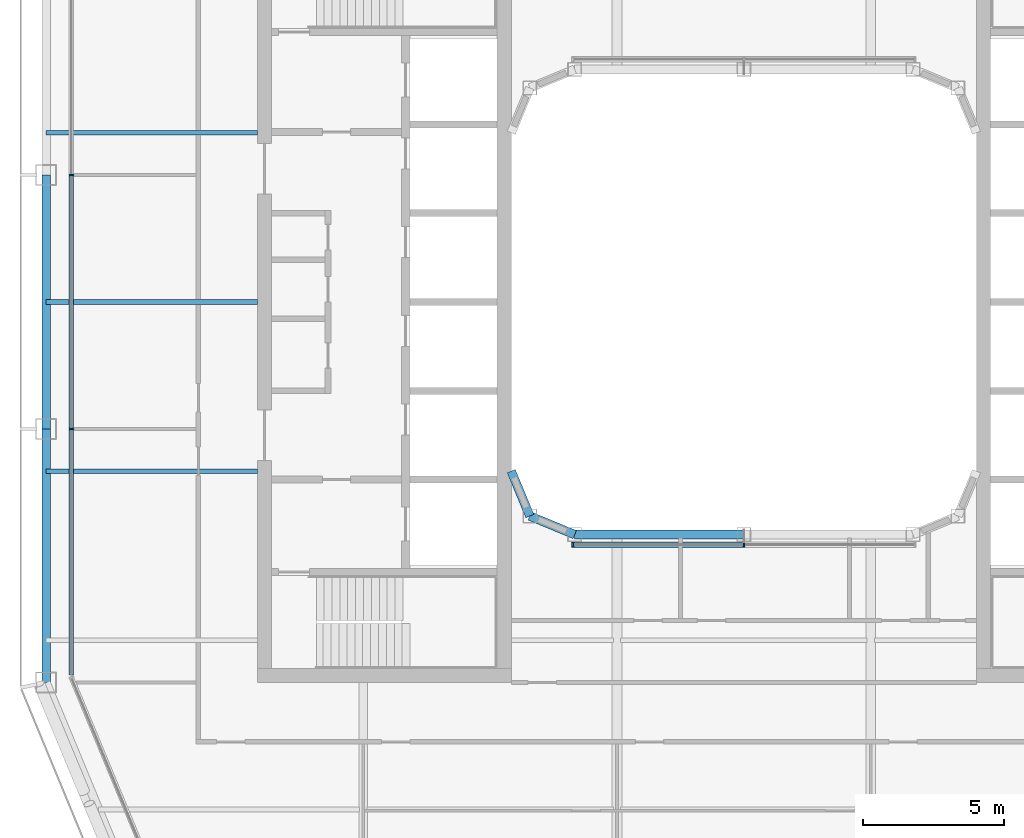
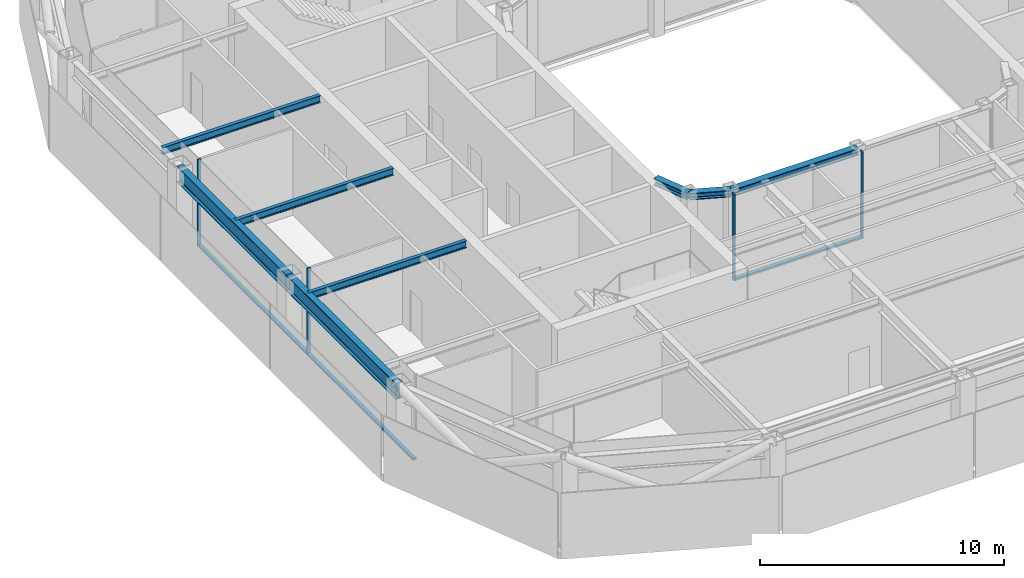
# One storey, part 3 of 20: 8 beams, 7 members, 2 elements without a shape of their own.
"""IFC4 building model written with IfcOpenShell, lengths in metres."""

from ifc_helpers import new_model, si_unit, direction, frame, origin, origin_2d, place, context, subcontext, project, spatial, rectangle, i_section, extrude, material, layer, layer_set, material_profile, profile_set, type_object, element, aggregate, save


model = new_model("IFC4")

# Units and contexts
model_context = context("Model", 3, precision=1e-05, world=origin(), true_north=direction((0.0, 1.0)))
body_context = subcontext(model_context, "Body", "Model", "MODEL_VIEW")
ifc_project = project(units=[si_unit("LENGTHUNIT", "METRE"), si_unit("AREAUNIT", "SQUARE_METRE"), si_unit("VOLUMEUNIT", "CUBIC_METRE"), si_unit("PLANEANGLEUNIT", "RADIAN"), si_unit("MASSUNIT", "GRAM", prefix="KILO")], contexts=[model_context])

# Site, building, storey
site_placement = place(None, origin())
site = spatial("IfcSite", under=ifc_project, at=site_placement, CompositionType="ELEMENT")
building_placement = place(site_placement, origin())
building = spatial("IfcBuilding", under=site, at=building_placement, Name="Siwar Civic Tower", CompositionType="ELEMENT")
storey_placement = place(building_placement, frame((0.0, 0.0, 307.699951171875)))
storey = spatial("IfcBuildingStorey", under=building, at=storey_placement, Name="L66", CompositionType="ELEMENT", Elevation=307.699951171875)

# Curtain wall, members
ifc_material_1 = material(Name="Aluminium and glass", Category="aluminium")
ifc_layer_1 = layer(ifc_material_1, 0.159912109375)
ifc_layer_set_1 = layer_set([ifc_layer_1], Name="Aluminium and glass")
curtain_wall_type_1 = type_object("IfcCurtainWallType", Name="ENV-CW-D", PredefinedType="NOTDEFINED", material=ifc_layer_set_1)
curtain_wall_1_placement = place(storey_placement, origin())
curtain_wall_1 = element("IfcCurtainWall", 1, at=curtain_wall_1_placement, inside=storey, type_object=curtain_wall_type_1, Name="Curtain wall D W", PredefinedType="NOTDEFINED")
ifc_material_2 = material(Name="Aluminium 6063-T6", Category="aluminium")
ifc_material_profile_1 = material_profile(ifc_material_2, rectangle(XDim=0.159912109375, YDim=0.06005859375, at=origin_2d()), Name="AL 160x60")
ifc_profile_set_1 = profile_set([ifc_material_profile_1], Name="Aluminium 6063-T6")
member_type_1 = type_object("IfcMemberType", Name="ENV-MULLION-D", PredefinedType="MULLION", material=ifc_profile_set_1)
member_1_placement = place(storey_placement, frame((-23.85009765625, 4.5, 0.0), z_axis=(0.0, 0.0, 1.0), x_axis=(1.0, 0.0, 0.0)))
member_1 = element("IfcMember", 2, at=member_1_placement, type_object=member_type_1, Name="Mullion D W 2", PredefinedType="MULLION", context=body_context, shape_type="SweptSolid", body=[
    extrude(rectangle(XDim=0.159912109375, YDim=0.06005859375, at=origin_2d()), origin(), (0.0, 0.0, 1.0), 4.35009765625),
])
member_2_placement = place(storey_placement, frame((-23.85009765625, -4.5, 0.0), z_axis=(0.0, 0.0, 1.0), x_axis=(1.0, 0.0, 0.0)))
member_2 = element("IfcMember", 3, at=member_2_placement, type_object=member_type_1, Name="Mullion D W 3", PredefinedType="MULLION", context=body_context, shape_type="SweptSolid", body=[
    extrude(rectangle(XDim=0.159912109375, YDim=0.06005859375, at=origin_2d()), origin(), (0.0, 0.0, 1.0), 4.35009765625),
])

ifc_material_3 = material(Name="Aluminium and glass", Category="aluminium")
ifc_layer_2 = layer(ifc_material_3, 0.179931640625)
ifc_layer_set_2 = layer_set([ifc_layer_2], Name="Aluminium and glass")
curtain_wall_type_2 = type_object("IfcCurtainWallType", Name="ENV-CW-W", PredefinedType="NOTDEFINED", material=ifc_layer_set_2)
curtain_wall_2_placement = place(storey_placement, origin())
curtain_wall_2 = element("IfcCurtainWall", 4, at=curtain_wall_2_placement, inside=storey, type_object=curtain_wall_type_2, Name="Curtain wall W WS", PredefinedType="NOTDEFINED")
ifc_material_4 = material(Name="Aluminium 6063-T6", Category="aluminium")
ifc_material_profile_2 = material_profile(ifc_material_4, rectangle(XDim=0.179931640625, YDim=0.06005859375, at=origin_2d()), Name="AL 180x60")
ifc_profile_set_2 = profile_set([ifc_material_profile_2], Name="Aluminium 6063-T6")
member_type_2 = type_object("IfcMemberType", Name="ENV-MULLION-W", PredefinedType="MULLION", material=ifc_profile_set_2)
member_3_placement = place(storey_placement, frame((-6.071533203125, -8.610107421875, 0.0), z_axis=(0.0, 0.0, 1.0), x_axis=(0.0, 1.0, 0.0)))
member_3 = element("IfcMember", 5, at=member_3_placement, type_object=member_type_2, Name="Mullion W WS 1", PredefinedType="MULLION", context=body_context, shape_type="SweptSolid", body=[
    extrude(rectangle(XDim=0.179931640625, YDim=0.06005859375, at=origin_2d()), origin(), (0.0, 0.0, 1.0), 4.35009765625),
])
member_4_placement = place(storey_placement, frame((0.0, -8.610107421875, 0.0), z_axis=(0.0, 0.0, 1.0), x_axis=(0.0, 1.0, 0.0)))
member_4 = element("IfcMember", 6, at=member_4_placement, type_object=member_type_2, Name="Mullion W WS 2", PredefinedType="MULLION", context=body_context, shape_type="SweptSolid", body=[
    extrude(rectangle(XDim=0.179931640625, YDim=0.06005859375, at=origin_2d()), origin(), (0.0, 0.0, 1.0), 4.35009765625),
])

# Member
ifc_material_5 = material(Name="Aluminium 6063-T6", Category="aluminium")
ifc_material_profile_3 = material_profile(ifc_material_5, rectangle(XDim=0.159912109375, YDim=0.10009765625, at=origin_2d()), Name="AL 160x100")
ifc_profile_set_3 = profile_set([ifc_material_profile_3], Name="Aluminium 6063-T6")
member_type_3 = type_object("IfcMemberType", Name="ENV-TRANSOM-D", PredefinedType="USERDEFINED", material=ifc_profile_set_3)
member_5_placement = place(storey_placement, frame((-23.85009765625, 4.469970703125, 0.050048828125), z_axis=(0.0, -1.0, 0.0), x_axis=(1.0, 0.0, 0.0)))
member_5 = element("IfcMember", 7, at=member_5_placement, type_object=member_type_3, Name="Transom D W 2", ObjectType="TRANSOM", PredefinedType="USERDEFINED", context=body_context, shape_type="SweptSolid", body=[
    extrude(rectangle(XDim=0.159912109375, YDim=0.10009765625, at=origin_2d()), origin(), (0.0, 0.0, 1.0), 8.93994140625),
])

member_6_placement = place(storey_placement, frame((-23.85009765625, -4.530029296875, 0.050048828125), z_axis=(0.0, -1.0, 0.0), x_axis=(1.0, 0.0, 0.0)))
member_6 = element("IfcMember", 8, at=member_6_placement, type_object=member_type_3, Name="Transom D W 3", ObjectType="TRANSOM", PredefinedType="USERDEFINED", context=body_context, shape_type="SweptSolid", body=[
    extrude(rectangle(XDim=0.159912109375, YDim=0.10009765625, at=origin_2d()), origin(), (0.0, 0.0, 1.0), 8.693115234375),
])

aggregate(curtain_wall_1, [member_1, member_2, member_5, member_6])

ifc_material_6 = material(Name="Aluminium 6063-T6", Category="aluminium")
ifc_material_profile_4 = material_profile(ifc_material_6, rectangle(XDim=0.179931640625, YDim=0.10009765625, at=origin_2d()), Name="AL 180x100")
ifc_profile_set_4 = profile_set([ifc_material_profile_4], Name="Aluminium 6063-T6")
member_type_4 = type_object("IfcMemberType", Name="ENV-TRANSOM-W", PredefinedType="USERDEFINED", material=ifc_profile_set_4)
member_7_placement = place(storey_placement, frame((-6.04150390625, -8.610107421875, 0.050048828125), z_axis=(1.0, 0.0, 0.0), x_axis=(0.0, 1.0, 0.0)))
member_7 = element("IfcMember", 9, at=member_7_placement, type_object=member_type_4, Name="Transom W WS 1", ObjectType="TRANSOM", PredefinedType="USERDEFINED", context=body_context, shape_type="SweptSolid", body=[
    extrude(rectangle(XDim=0.179931640625, YDim=0.10009765625, at=origin_2d()), origin(), (0.0, 0.0, 1.0), 6.011474609375),
])

aggregate(curtain_wall_2, [member_3, member_4, member_7])

# Beams
ifc_material_7 = material(Name="Steel S355", Category="steel")
ifc_material_profile_5 = material_profile(ifc_material_7, i_section(OverallWidth=0.169921875, OverallDepth=0.360107421875, WebThickness=0.008056640625, FlangeThickness=0.0126953125, FilletRadius=0.01806640625, at=origin_2d()), Name="IPE360")
ifc_profile_set_5 = profile_set([ifc_material_profile_5], Name="Steel S355")
beam_type_1 = type_object("IfcBeamType", Name="STR-FB-IPE360", PredefinedType="JOIST", material=ifc_profile_set_5)
for number, where, z_axis, x_axis, name in (
    (10, (-24.75, -6.0, 4.170166015625), (1.0, 0.0, 0.0), (0.0, 1.0, 0.0), "L66/bm/F016"),
    (11, (-24.75, 0.0, 4.170166015625), (1.0, 0.0, 0.0), (0.0, 1.0, 0.0), "L66/bm/F018"),
    (12, (-24.75, 6.0, 4.170166015625), (1.0, 0.0, 0.0), (0.0, 1.0, 0.0), "L66/bm/F020"),
):
    element("IfcBeam", number, at=place(storey_placement, frame(where, z_axis=z_axis, x_axis=x_axis)), inside=storey, type_object=beam_type_1, Name=name, PredefinedType="JOIST", context=body_context, shape_type="SweptSolid", body=[
        extrude(i_section(OverallWidth=0.169921875, OverallDepth=0.360107421875, WebThickness=0.008056640625, FlangeThickness=0.0126953125, FilletRadius=0.01806640625, at=origin_2d()), origin(), (0.0, 0.0, 1.0), 7.5),
    ])
ifc_material_8 = material(Name="Steel S355", Category="steel")
ifc_material_profile_6 = material_profile(ifc_material_8, i_section(OverallWidth=0.31005859375, OverallDepth=0.340087890625, WebThickness=0.02099609375, FlangeThickness=0.0390625, FilletRadius=0.027099609375, at=origin_2d()), Name="HEM300")
ifc_profile_set_6 = profile_set([ifc_material_profile_6], Name="Steel S355")
beam_type_2 = type_object("IfcBeamType", Name="STR-RB-HEM300", PredefinedType="BEAM", material=ifc_profile_set_6)
beam_1_placement = place(storey_placement, frame((-7.591064453125, -7.591064453125, 4.179931640625), z_axis=(0.923901072997, -0.382631424892, 0.0), x_axis=(0.382631424892, 0.923901072997, 0.0)))
element("IfcBeam", 13, at=beam_1_placement, inside=storey, type_object=beam_type_2, Name="L66/bm/RS0", PredefinedType="BEAM", context=body_context, shape_type="SweptSolid", body=[
    extrude(i_section(OverallWidth=0.31005859375, OverallDepth=0.340087890625, WebThickness=0.02099609375, FlangeThickness=0.0390625, FilletRadius=0.027099609375, at=origin_2d()), origin(), (0.0, 0.0, 1.0), 1.72216796875),
])
beam_2_placement = place(storey_placement, frame((-6.0, -8.25, 4.179931640625), z_axis=(1.0, 0.0, 0.0), x_axis=(0.0, 1.0, 0.0)))
element("IfcBeam", 14, at=beam_2_placement, inside=storey, type_object=beam_type_2, Name="L66/bm/RS1", PredefinedType="BEAM", context=body_context, shape_type="SweptSolid", body=[
    extrude(i_section(OverallWidth=0.31005859375, OverallDepth=0.340087890625, WebThickness=0.02099609375, FlangeThickness=0.0390625, FilletRadius=0.027099609375, at=origin_2d()), origin(), (0.0, 0.0, 1.0), 6.0),
])
beam_3_placement = place(storey_placement, frame((-7.591064453125, -7.591064453125, 4.179931640625), z_axis=(-0.382631424892, 0.923901072997, 0.0), x_axis=(-0.923901072997, -0.382631424892, 0.0)))
element("IfcBeam", 15, at=beam_3_placement, inside=storey, type_object=beam_type_2, Name="L66/bm/RSEW", PredefinedType="BEAM", context=body_context, shape_type="SweptSolid", body=[
    extrude(i_section(OverallWidth=0.31005859375, OverallDepth=0.340087890625, WebThickness=0.02099609375, FlangeThickness=0.0390625, FilletRadius=0.027099609375, at=origin_2d()), origin(), (0.0, 0.0, 1.0), 1.72216796875),
])
ifc_material_9 = material(Name="Steel S355", Category="steel")
ifc_material_profile_7 = material_profile(ifc_material_9, i_section(OverallWidth=0.300048828125, OverallDepth=0.800048828125, WebThickness=0.017578125, FlangeThickness=0.032958984375, FilletRadius=0.030029296875, at=origin_2d()), Name="HEB800")
ifc_profile_set_7 = profile_set([ifc_material_profile_7], Name="Steel S355")
beam_type_3 = type_object("IfcBeamType", Name="STR-SB-HEB800", PredefinedType="BEAM", material=ifc_profile_set_7)
for number, where, z_axis, x_axis, name in (
    (16, (-24.75, 4.5, 3.949951171875), (0.0, -1.0, 0.0), (1.0, 0.0, 0.0), "L66/bm/SW-1"),
    (17, (-24.75, -4.5, 3.949951171875), (0.0, -1.0, 0.0), (1.0, 0.0, 0.0), "L66/bm/SW-2"),
):
    element("IfcBeam", number, at=place(storey_placement, frame(where, z_axis=z_axis, x_axis=x_axis)), inside=storey, type_object=beam_type_3, Name=name, PredefinedType="BEAM", context=body_context, shape_type="SweptSolid", body=[
        extrude(i_section(OverallWidth=0.300048828125, OverallDepth=0.800048828125, WebThickness=0.017578125, FlangeThickness=0.032958984375, FilletRadius=0.030029296875, at=origin_2d()), origin(), (0.0, 0.0, 1.0), 9.0),
    ])

save(model, "model.ifc")
